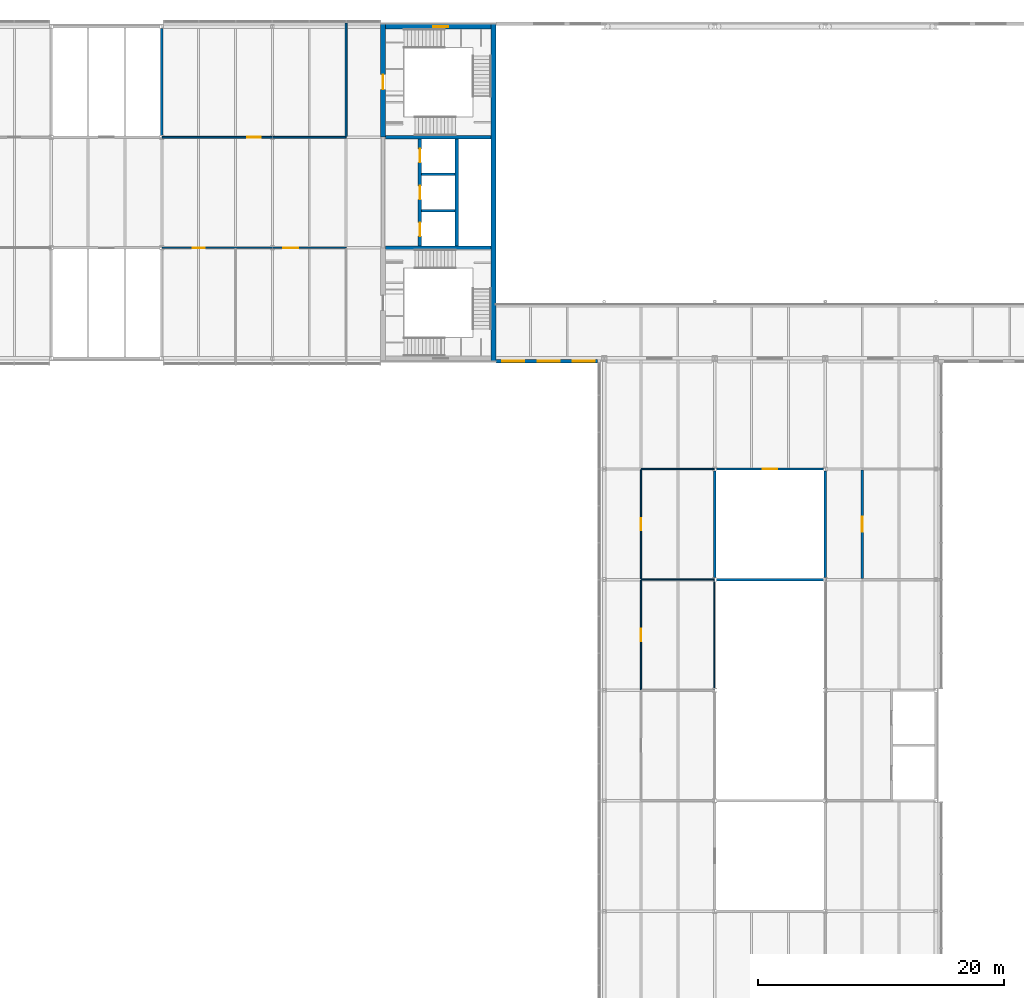
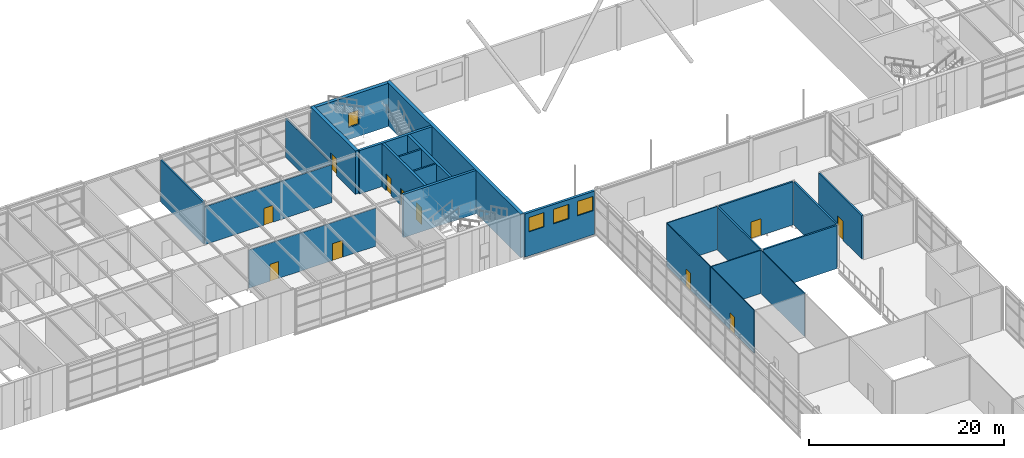
# One storey, part 37 of 46: 24 walls, 11 doors, 4 windows, 15 openings.
"""IFC4 building model written with IfcOpenShell, lengths in metres."""

import ifcopenshell
import ifcopenshell.guid

model = None  # the IFC model being written
_history = None  # IfcOwnerHistory: only IFC2X3 demands one
_inside = {}  # id of a spatial element -> (the spatial element, [elements in it])
_under = {}  # id of a project, library or spatial element -> (it, [spatial elements below it])
_declared = {}  # id of a project -> (the project, [libraries it declares])
_typed = {}  # id of a type object -> (the type object, [elements of that type])
_made_of = {}  # id of a material, layer set ... -> (it, [elements and type objects made of it])


def new_model(schema):
    """Start an empty IFC model of exactly this schema.

    Asked for "IFC4X3", IfcOpenShell would pick the latest addendum, in which some entities
    have other attributes; the version numbers below select the first issue.
    IFC2X3 requires an IfcOwnerHistory on every rooted entity: one is made here for all.
    """
    global model, _history
    if schema == "IFC4X3":
        model = ifcopenshell.file(schema_version=(4, 3, 0, 0))
    else:
        model = ifcopenshell.file(schema=schema)
    _inside.clear()
    _under.clear()
    _declared.clear()
    _typed.clear()
    _made_of.clear()
    _history = None
    if model.schema == "IFC2X3":
        org = make("IfcOrganization", Name="unknown")
        user = make(
            "IfcPersonAndOrganization",
            ThePerson=make("IfcPerson", FamilyName="unknown"),
            TheOrganization=org,
        )
        app = make(
            "IfcApplication",
            ApplicationDeveloper=org,
            Version="unknown",
            ApplicationFullName="unknown",
            ApplicationIdentifier="unknown",
        )
        _history = make(
            "IfcOwnerHistory",
            OwningUser=user,
            OwningApplication=app,
            ChangeAction="ADDED",
            CreationDate=0,
        )
    return model


def make(cls, **values):
    """One entity of the class cls with the attributes given. An attribute that is None is left unset."""
    return model.create_entity(
        cls, **{name: value for name, value in values.items() if value is not None}
    )


def rooted(cls, **values):
    """An entity with a GlobalId (a new one), such as an element, a storey or a relation."""
    return make(cls, GlobalId=ifcopenshell.guid.new(), OwnerHistory=_history, **values)


def si_unit(unit_type, name, prefix=None):
    """IfcSIUnit, for example si_unit("LENGTHUNIT", "METRE", prefix="MILLI")."""
    return make("IfcSIUnit", UnitType=unit_type, Prefix=prefix, Name=name)


def assignment(units):
    """IfcUnitAssignment: the units of a project."""
    return None if units is None else make("IfcUnitAssignment", Units=units)


def point(xyz):
    """IfcCartesianPoint."""
    return None if xyz is None else make("IfcCartesianPoint", Coordinates=xyz)


def direction(xyz):
    """IfcDirection."""
    return None if xyz is None else make("IfcDirection", DirectionRatios=xyz)


def frame(location, z_axis=None, x_axis=None):
    """IfcAxis2Placement3D, a coordinate frame: its origin and axes. An axis left out is left unset."""
    return make(
        "IfcAxis2Placement3D",
        Location=point(location),
        Axis=direction(z_axis),
        RefDirection=direction(x_axis),
    )


def frame_2d(location, x_axis=None):
    """IfcAxis2Placement2D, a coordinate frame in the plane: its origin and x axis."""
    return make(
        "IfcAxis2Placement2D", Location=point(location), RefDirection=direction(x_axis)
    )


def origin():
    """The frame at (0, 0, 0) with its axes left unset."""
    return frame((0.0, 0.0, 0.0))


def place(relative_to, where):
    """IfcLocalPlacement: puts the frame where relative to a parent placement (None: the world)."""
    return make(
        "IfcLocalPlacement", PlacementRelTo=relative_to, RelativePlacement=where
    )


def context(
    kind, dimensions, precision=None, world=None, true_north=None, identifier=None
):
    """IfcGeometricRepresentationContext, for example the 3D "Model" context."""
    return make(
        "IfcGeometricRepresentationContext",
        ContextIdentifier=identifier,
        ContextType=kind,
        CoordinateSpaceDimension=dimensions,
        Precision=precision,
        WorldCoordinateSystem=world,
        TrueNorth=true_north,
    )


def subcontext(parent, identifier, kind, view, scale=None):
    """IfcGeometricRepresentationSubContext, for example "Body" below "Model"."""
    return make(
        "IfcGeometricRepresentationSubContext",
        ContextIdentifier=identifier,
        ContextType=kind,
        ParentContext=parent,
        TargetScale=scale,
        TargetView=view,
    )


def project(units=None, contexts=None):
    """IfcProject with its units and contexts."""
    return rooted(
        "IfcProject",
        Name="project",
        RepresentationContexts=contexts,
        UnitsInContext=assignment(units),
    )


def spatial(cls, under=None, at=None, **own):
    """A site, building, storey or space (cls), placed at a placement, below another one or the project."""
    s = rooted(cls, ObjectPlacement=at, **own)
    if under is not None:
        _under.setdefault(under.id(), (under, []))[1].append(s)
    return s


def profile(cls, at=None, kind="AREA", **sizes):
    """A parametric profile (cls). Its sizes go by their IFC names, for example OverallWidth=200.0."""
    return make(cls, ProfileType=kind, Position=at, **sizes)


def rectangle(**sizes):
    """IfcRectangleProfileDef."""
    return profile("IfcRectangleProfileDef", **sizes)


def extrude(swept, where, along, depth):
    """IfcExtrudedAreaSolid: the profile swept, set in the frame where, extruded along a direction by depth."""
    return make(
        "IfcExtrudedAreaSolid",
        SweptArea=swept,
        Position=where,
        ExtrudedDirection=direction(along),
        Depth=depth,
    )


def shape(context_of_items, identifier, shape_type, items):
    """IfcShapeRepresentation: the items that make up one representation, for example the "Body"."""
    return make(
        "IfcShapeRepresentation",
        ContextOfItems=context_of_items,
        RepresentationIdentifier=identifier,
        RepresentationType=shape_type,
        Items=items,
    )


def material(Name=None, Category=None):
    """IfcMaterial."""
    return make("IfcMaterial", Name=Name, Category=Category)


def layer(
    of_material, thickness, ventilated=None, Name=None, Category=None, Priority=None
):
    """IfcMaterialLayer: one layer of a wall or slab, of a material (None: an air gap)."""
    return make(
        "IfcMaterialLayer",
        Material=of_material,
        LayerThickness=thickness,
        IsVentilated=ventilated,
        Name=Name,
        Category=Category,
        Priority=Priority,
    )


def layer_set(layers, Name=None):
    """IfcMaterialLayerSet."""
    return make("IfcMaterialLayerSet", MaterialLayers=layers, LayerSetName=Name)


def made_of(thing, what):
    """Note that an element or type object is made of a material, layer set ...; save() writes the relation."""
    if what is not None:
        _made_of.setdefault(what.id(), (what, []))[1].append(thing)
    return thing


def type_object(cls, material=None, **own):
    """A type object (cls), such as IfcWallType, which elements share."""
    return made_of(rooted(cls, **own), material)


def element(
    cls,
    number,
    at=None,
    inside=None,
    cuts=None,
    type_object=None,
    material=None,
    context=None,
    identifier="Body",
    shape_type=None,
    held_by="IfcProductDefinitionShape",
    body=None,
    shapes=None,
    **own,
):
    """One element of the class cls, such as IfcWall. Its Tag is "e" and its number.

    at: its placement. inside: the storey or other place that contains it. cuts: it is an
    opening in that element (IfcRelVoidsElement). A single representation is given by context,
    identifier, shape_type and body (its items); several are given by shapes. held_by: the class
    of the entity that holds the representations. save() writes the other relations.
    """
    e = rooted(cls, Tag="e%d" % number, ObjectPlacement=at, **own)
    if body is not None:
        shapes = [shape(context, identifier, shape_type, body)]
    if shapes is not None:
        e.Representation = make(held_by, Representations=shapes)
    if inside is not None:
        _inside.setdefault(inside.id(), (inside, []))[1].append(e)
    if cuts is not None:
        rooted(
            "IfcRelVoidsElement", RelatingBuildingElement=cuts, RelatedOpeningElement=e
        )
    if type_object is not None:
        _typed.setdefault(type_object.id(), (type_object, []))[1].append(e)
    return made_of(e, material)


def fill(opening, filler):
    """IfcRelFillsElement: the door or window that sits in an opening."""
    return rooted(
        "IfcRelFillsElement",
        RelatingOpeningElement=opening,
        RelatedBuildingElement=filler,
    )


def aggregate(whole, parts):
    """IfcRelAggregates: a whole, such as a stair, and the parts it consists of."""
    return rooted("IfcRelAggregates", RelatingObject=whole, RelatedObjects=parts)


def save(model, path):
    """Write the relations noted so far, then the file.

    IfcRelAggregates (storeys below a building ...), IfcRelContainedInSpatialStructure (elements
    in a storey), IfcRelDefinesByType, IfcRelAssociatesMaterial and IfcRelDeclares: one each for
    every whole, place, type object, material and project.
    """
    for whole, parts in _under.values():
        aggregate(whole, parts)
    for where, things in _inside.values():
        rooted(
            "IfcRelContainedInSpatialStructure",
            RelatedElements=things,
            RelatingStructure=where,
        )
    for kind, things in _typed.values():
        rooted("IfcRelDefinesByType", RelatedObjects=things, RelatingType=kind)
    for what, things in _made_of.values():
        rooted("IfcRelAssociatesMaterial", RelatedObjects=things, RelatingMaterial=what)
    for by, libraries in _declared.values():
        rooted("IfcRelDeclares", RelatingContext=by, RelatedDefinitions=libraries)
    model.write(path)


model = new_model("IFC4")

# Units and contexts
model_context = context("Model", 3, precision=1e-05, world=origin(), true_north=direction((0.0, 1.0)))
body_context = subcontext(model_context, "Body", "Model", "MODEL_VIEW")
ifc_project = project(units=[si_unit("LENGTHUNIT", "METRE"), si_unit("AREAUNIT", "SQUARE_METRE"), si_unit("VOLUMEUNIT", "CUBIC_METRE"), si_unit("PLANEANGLEUNIT", "RADIAN"), si_unit("MASSUNIT", "GRAM", prefix="KILO")], contexts=[model_context])

# Site, building, storey
site_placement = place(None, origin())
site = spatial("IfcSite", under=ifc_project, at=site_placement, CompositionType="ELEMENT")
building_placement = place(site_placement, origin())
building = spatial("IfcBuilding", under=site, at=building_placement, Name="Azimuth Sports and Learning Centre", CompositionType="ELEMENT")
storey_placement = place(building_placement, frame((0.0, 0.0, 21.60009765625)))
storey = spatial("IfcBuildingStorey", under=building, at=storey_placement, Name="L04", CompositionType="ELEMENT", Elevation=21.60009765625)

# Walls
ifc_material_1 = material(Name="Dense masonry blockwork", Category="masonry")
ifc_layer_1 = layer(ifc_material_1, 0.199951171875)
ifc_layer_set_1 = layer_set([ifc_layer_1], Name="Dense masonry blockwork")
wall_type_1 = type_object("IfcWallType", Name="Blockwork wall 200 EI 120", PredefinedType="SOLIDWALL", material=ifc_layer_set_1)
for number, where, z_axis, x_axis, name in (
    (1, (57.14990234375, 102.0, 0.0), (0.0, 0.0, 1.0), (1.0, 0.0, 0.0), "SD-W-1-L04"),
    (2, (57.14990234375, 105.0, 0.0), (0.0, 0.0, 1.0), (1.0, 0.0, 0.0), "SD-W-2-L04"),
):
    element("IfcWall", number, at=place(storey_placement, frame(where, z_axis=z_axis, x_axis=x_axis)), inside=storey, type_object=wall_type_1, Name=name, PredefinedType="SOLIDWALL", context=body_context, shape_type="SweptSolid", body=[
        extrude(rectangle(XDim=2.7001953125, YDim=0.199951171875, at=frame_2d((1.35009765625, 0.0))), origin(), (0.0, 0.0, 1.0), 5.39990234375),
    ])

# Wall, openings, windows
ifc_material_2 = material(Name="Insulated cladding wall")
ifc_layer_2 = layer(ifc_material_2, 0.300048828125)
ifc_layer_set_2 = layer_set([ifc_layer_2], Name="Insulated cladding wall")
wall_type_2 = type_object("IfcWallType", Name="Hall cladding wall 300", PredefinedType="SOLIDWALL", material=ifc_layer_set_2)
wall_1_placement = place(storey_placement, frame((63.199951171875, 89.760009765625, 0.0), z_axis=(0.0, 0.0, 1.0), x_axis=(1.0, 0.0, 0.0)))
wall_1 = element("IfcWall", 3, at=wall_1_placement, inside=storey, type_object=wall_type_2, Name="Hall wall S-HALL W L04", PredefinedType="SOLIDWALL", context=body_context, shape_type="SweptSolid", body=[
    extrude(rectangle(XDim=8.260009765625, YDim=0.300048828125, at=frame_2d((4.1298828125, 0.0))), origin(), (0.0, 0.0, 1.0), 5.39990234375),
])
opening_1_placement = place(wall_1_placement, frame((0.5, 0.0, 3.0)))
opening_1 = element("IfcOpeningElement", 4, at=opening_1_placement, cuts=wall_1, Name="Opening W04-003", PredefinedType="OPENING", context=body_context, shape_type="SweptSolid", body=[
    extrude(rectangle(XDim=1.800048828125, YDim=1.800048828125, at=frame_2d((0.89990234375, 0.89990234375))), frame((0.0, 0.1611328125, 0.0), z_axis=(0.0, -1.0, 0.0), x_axis=(1.0, 0.0, 0.0)), (0.0, 0.0, 1.0), 0.322021484375),
])
opening_2_placement = place(wall_1_placement, frame((3.39990234375, 0.0, 3.0)))
opening_2 = element("IfcOpeningElement", 5, at=opening_2_placement, cuts=wall_1, Name="Opening W04-004", PredefinedType="OPENING", context=body_context, shape_type="SweptSolid", body=[
    extrude(rectangle(XDim=1.800048828125, YDim=1.800048828125, at=frame_2d((0.89990234375, 0.89990234375))), frame((0.0, 0.1611328125, 0.0), z_axis=(0.0, -1.0, 0.0), x_axis=(1.0, 0.0, 0.0)), (0.0, 0.0, 1.0), 0.322021484375),
])
opening_3_placement = place(wall_1_placement, frame((6.25, 0.0, 3.0)))
opening_3 = element("IfcOpeningElement", 6, at=opening_3_placement, cuts=wall_1, Name="Opening W04-005", PredefinedType="OPENING", context=body_context, shape_type="SweptSolid", body=[
    extrude(rectangle(XDim=1.800048828125, YDim=1.800048828125, at=frame_2d((0.89990234375, 0.89990234375))), frame((0.0, 0.1611328125, 0.0), z_axis=(0.0, -1.0, 0.0), x_axis=(1.0, 0.0, 0.0)), (0.0, 0.0, 1.0), 0.322021484375),
])
ifc_material_3 = material(Name="Aluminium and glass", Category="aluminium")
window_type_1 = type_object("IfcWindowType", Name="Hall B end bay window 1800x1800", PartitioningType="SINGLE_PANEL", PredefinedType="WINDOW", material=ifc_material_3)
window_1_placement = place(opening_1_placement, origin())
window_1 = element("IfcWindow", 7, at=window_1_placement, inside=storey, type_object=window_type_1, Name="Window W04-003", OverallHeight=1.800048828125, OverallWidth=1.800048828125, PartitioningType="SINGLE_PANEL", PredefinedType="WINDOW", context=body_context, shape_type="SweptSolid", body=[
    extrude(rectangle(XDim=1.800048828125, YDim=1.800048828125, at=frame_2d((0.89990234375, 0.89990234375))), frame((0.0, 0.030029296875, 0.0), z_axis=(0.0, -1.0, 0.0), x_axis=(1.0, 0.0, 0.0)), (0.0, 0.0, 1.0), 0.06005859375),
])
fill(opening_1, window_1)
window_2_placement = place(opening_2_placement, origin())
window_2 = element("IfcWindow", 8, at=window_2_placement, inside=storey, type_object=window_type_1, Name="Window W04-004", OverallHeight=1.800048828125, OverallWidth=1.800048828125, PartitioningType="SINGLE_PANEL", PredefinedType="WINDOW", context=body_context, shape_type="SweptSolid", body=[
    extrude(rectangle(XDim=1.800048828125, YDim=1.800048828125, at=frame_2d((0.89990234375, 0.89990234375))), frame((0.0, 0.030029296875, 0.0), z_axis=(0.0, -1.0, 0.0), x_axis=(1.0, 0.0, 0.0)), (0.0, 0.0, 1.0), 0.06005859375),
])
fill(opening_2, window_2)
window_3_placement = place(opening_3_placement, origin())
window_3 = element("IfcWindow", 9, at=window_3_placement, inside=storey, type_object=window_type_1, Name="Window W04-005", OverallHeight=1.800048828125, OverallWidth=1.800048828125, PartitioningType="SINGLE_PANEL", PredefinedType="WINDOW", context=body_context, shape_type="SweptSolid", body=[
    extrude(rectangle(XDim=1.800048828125, YDim=1.800048828125, at=frame_2d((0.89990234375, 0.89990234375))), frame((0.0, 0.030029296875, 0.0), z_axis=(0.0, -1.0, 0.0), x_axis=(1.0, 0.0, 0.0)), (0.0, 0.0, 1.0), 0.06005859375),
])
fill(opening_3, window_3)

# Walls
ifc_material_4 = material(Name="Gypsum board on steel studs", Category="steel")
ifc_layer_3 = layer(ifc_material_4, 0.10009765625)
ifc_layer_set_3 = layer_set([ifc_layer_3], Name="Gypsum board on steel studs")
wall_type_3 = type_object("IfcWallType", Name="Partition 100 EI 30", PredefinedType="PARTITIONING", material=ifc_layer_set_3)
for number, where, z_axis, x_axis, name in (
    (10, (75.0, 72.0, 0.0), (0.0, 0.0, 1.0), (1.0, 0.0, 0.0), "Partition 100 EI 30"),
    (11, (75.0, 81.0, 0.0), (0.0, 0.0, 1.0), (1.0, 0.0, 0.0), "Partition 100 EI 30"),
):
    element("IfcWall", number, at=place(storey_placement, frame(where, z_axis=z_axis, x_axis=x_axis)), inside=storey, type_object=wall_type_3, Name=name, PredefinedType="PARTITIONING", context=body_context, shape_type="SweptSolid", body=[
        extrude(rectangle(XDim=6.0, YDim=0.10009765625, at=frame_2d((3.0, 0.0))), origin(), (0.0, 0.0, 1.0), 5.39990234375),
    ])

# Wall, openings, doors
wall_2_placement = place(storey_placement, frame((36.0, 99.0, 0.0), z_axis=(0.0, 0.0, 1.0), x_axis=(1.0, 0.0, 0.0)))
wall_2 = element("IfcWall", 12, at=wall_2_placement, inside=storey, type_object=wall_type_3, Name="Partition 100 EI 30", PredefinedType="PARTITIONING", context=body_context, shape_type="SweptSolid", body=[
    extrude(rectangle(XDim=15.0, YDim=0.10009765625, at=frame_2d((7.5, 0.0))), origin(), (0.0, 0.0, 1.0), 4.75),
])
opening_4_placement = place(wall_2_placement, frame((2.5, 0.0, 0.0)))
opening_4 = element("IfcOpeningElement", 13, at=opening_4_placement, cuts=wall_2, Name="Opening D04-032", PredefinedType="OPENING", context=body_context, shape_type="SweptSolid", body=[
    extrude(rectangle(XDim=1.0, YDim=2.10009765625, at=frame_2d((0.5, 1.050048828125))), frame((0.0, 0.06103515625, 0.0), z_axis=(0.0, -1.0, 0.0), x_axis=(1.0, 0.0, 0.0)), (0.0, 0.0, 1.0), 0.1220703125),
])
opening_5_placement = place(wall_2_placement, frame((9.89990234375, 0.0, 0.0)))
opening_5 = element("IfcOpeningElement", 14, at=opening_5_placement, cuts=wall_2, Name="Opening D04-033", PredefinedType="OPENING", context=body_context, shape_type="SweptSolid", body=[
    extrude(rectangle(XDim=1.199951171875, YDim=2.10009765625, at=frame_2d((0.60009765625, 1.050048828125))), frame((0.0, 0.06103515625, 0.0), z_axis=(0.0, -1.0, 0.0), x_axis=(1.0, 0.0, 0.0)), (0.0, 0.0, 1.0), 0.1220703125),
])
ifc_material_5 = material(Name="Timber fire door set", Category="wood")
door_type_1 = type_object("IfcDoorType", Name="Timber door single 1000x2100 FD30S", OperationType="NOTDEFINED", PredefinedType="DOOR", material=ifc_material_5)
door_1_placement = place(opening_4_placement, frame((1.0, 0.0, 0.0), z_axis=(0.0, 0.0, 1.0), x_axis=(-1.0, 0.0, 0.0)))
door_1 = element("IfcDoor", 15, at=door_1_placement, inside=storey, type_object=door_type_1, Name="Door D04-032", OperationType="SINGLE_SWING_RIGHT", OverallHeight=2.10009765625, OverallWidth=1.0, PredefinedType="DOOR", context=body_context, shape_type="SweptSolid", body=[
    extrude(rectangle(XDim=1.0, YDim=2.10009765625, at=frame_2d((0.5, 1.050048828125))), frame((0.0, 0.02490234375, 0.0), z_axis=(0.0, -1.0, 0.0), x_axis=(1.0, 0.0, 0.0)), (0.0, 0.0, 1.0), 0.050048828125),
])
fill(opening_4, door_1)
ifc_material_6 = material(Name="Timber fire door set", Category="wood")
door_type_2 = type_object("IfcDoorType", Name="Timber door single 1200x2100 FD30S", OperationType="NOTDEFINED", PredefinedType="DOOR", material=ifc_material_6)
door_2_placement = place(opening_5_placement, frame((1.199951171875, 0.0, 0.0), z_axis=(0.0, 0.0, 1.0), x_axis=(-1.0, 0.0, 0.0)))
door_2 = element("IfcDoor", 16, at=door_2_placement, inside=storey, type_object=door_type_2, Name="Door D04-033", OperationType="SINGLE_SWING_RIGHT", OverallHeight=2.10009765625, OverallWidth=1.199951171875, PredefinedType="DOOR", context=body_context, shape_type="SweptSolid", body=[
    extrude(rectangle(XDim=1.199951171875, YDim=2.10009765625, at=frame_2d((0.60009765625, 1.050048828125))), frame((0.0, 0.02490234375, 0.0), z_axis=(0.0, -1.0, 0.0), x_axis=(1.0, 0.0, 0.0)), (0.0, 0.0, 1.0), 0.050048828125),
])
fill(opening_5, door_2)

# Wall, opening, door
wall_3_placement = place(storey_placement, frame((75.0, 63.050048828125, 0.0), z_axis=(0.0, 0.0, 1.0), x_axis=(0.0, 1.0, 0.0)))
wall_3 = element("IfcWall", 17, at=wall_3_placement, inside=storey, type_object=wall_type_3, Name="Partition 100 EI 30", PredefinedType="PARTITIONING", context=body_context, shape_type="SweptSolid", body=[
    extrude(rectangle(XDim=8.89990234375, YDim=0.10009765625, at=frame_2d((4.449951171875, 0.0))), origin(), (0.0, 0.0, 1.0), 5.39990234375),
])
opening_6_placement = place(wall_3_placement, frame((3.949951171875, 0.0, 0.0)))
opening_6 = element("IfcOpeningElement", 18, at=opening_6_placement, cuts=wall_3, Name="Opening D04-053", PredefinedType="OPENING", context=body_context, shape_type="SweptSolid", body=[
    extrude(rectangle(XDim=1.0, YDim=2.10009765625, at=frame_2d((0.5, 1.050048828125))), frame((0.0, 0.06103515625, 0.0), z_axis=(0.0, -1.0, 0.0), x_axis=(1.0, 0.0, 0.0)), (0.0, 0.0, 1.0), 0.1220703125),
])
door_3_placement = place(opening_6_placement, frame((1.0, 0.0, 0.0), z_axis=(0.0, 0.0, 1.0), x_axis=(-1.0, 0.0, 0.0)))
door_3 = element("IfcDoor", 19, at=door_3_placement, inside=storey, type_object=door_type_1, Name="Door D04-053", OperationType="SINGLE_SWING_RIGHT", OverallHeight=2.10009765625, OverallWidth=1.0, PredefinedType="DOOR", context=body_context, shape_type="SweptSolid", body=[
    extrude(rectangle(XDim=1.0, YDim=2.10009765625, at=frame_2d((0.5, 1.050048828125))), frame((0.0, 0.02490234375, 0.0), z_axis=(0.0, -1.0, 0.0), x_axis=(1.0, 0.0, 0.0)), (0.0, 0.0, 1.0), 0.050048828125),
])
fill(opening_6, door_3)

wall_4_placement = place(storey_placement, frame((75.0, 72.050048828125, 0.0), z_axis=(0.0, 0.0, 1.0), x_axis=(0.0, 1.0, 0.0)))
wall_4 = element("IfcWall", 20, at=wall_4_placement, inside=storey, type_object=wall_type_3, Name="Partition 100 EI 30", PredefinedType="PARTITIONING", context=body_context, shape_type="SweptSolid", body=[
    extrude(rectangle(XDim=8.89990234375, YDim=0.10009765625, at=frame_2d((4.449951171875, 0.0))), origin(), (0.0, 0.0, 1.0), 5.39990234375),
])
opening_7_placement = place(wall_4_placement, frame((3.949951171875, 0.0, 0.0)))
opening_7 = element("IfcOpeningElement", 21, at=opening_7_placement, cuts=wall_4, Name="Opening D04-054", PredefinedType="OPENING", context=body_context, shape_type="SweptSolid", body=[
    extrude(rectangle(XDim=1.0, YDim=2.10009765625, at=frame_2d((0.5, 1.050048828125))), frame((0.0, 0.06103515625, 0.0), z_axis=(0.0, -1.0, 0.0), x_axis=(1.0, 0.0, 0.0)), (0.0, 0.0, 1.0), 0.1220703125),
])
door_4_placement = place(opening_7_placement, frame((1.0, 0.0, 0.0), z_axis=(0.0, 0.0, 1.0), x_axis=(-1.0, 0.0, 0.0)))
door_4 = element("IfcDoor", 22, at=door_4_placement, inside=storey, type_object=door_type_1, Name="Door D04-054", OperationType="SINGLE_SWING_RIGHT", OverallHeight=2.10009765625, OverallWidth=1.0, PredefinedType="DOOR", context=body_context, shape_type="SweptSolid", body=[
    extrude(rectangle(XDim=1.0, YDim=2.10009765625, at=frame_2d((0.5, 1.050048828125))), frame((0.0, 0.02490234375, 0.0), z_axis=(0.0, -1.0, 0.0), x_axis=(1.0, 0.0, 0.0)), (0.0, 0.0, 1.0), 0.050048828125),
])
fill(opening_7, door_4)

# Wall
wall_5_placement = place(storey_placement, frame((80.949951171875, 63.050048828125, 0.0), z_axis=(0.0, 0.0, 1.0), x_axis=(0.0, 1.0, 0.0)))
element("IfcWall", 23, at=wall_5_placement, inside=storey, type_object=wall_type_3, Name="Partition 100 EI 30", PredefinedType="PARTITIONING", context=body_context, shape_type="SweptSolid", body=[
    extrude(rectangle(XDim=8.89990234375, YDim=0.10009765625, at=frame_2d((4.449951171875, 0.0))), origin(), (0.0, 0.0, 1.0), 5.39990234375),
])

# Wall, opening, door
ifc_material_7 = material(Name="Lightweight blockwork, rendered", Category="masonry")
ifc_layer_4 = layer(ifc_material_7, 0.14990234375)
ifc_layer_set_4 = layer_set([ifc_layer_4], Name="Lightweight blockwork, rendered")
wall_type_4 = type_object("IfcWallType", Name="Partition 150 EI 60", PredefinedType="PARTITIONING", material=ifc_layer_set_4)
wall_6_placement = place(storey_placement, frame((36.0, 108.0, 0.0), z_axis=(0.0, 0.0, 1.0), x_axis=(1.0, 0.0, 0.0)))
wall_6 = element("IfcWall", 24, at=wall_6_placement, inside=storey, type_object=wall_type_4, Name="Partition 150 EI 60", PredefinedType="PARTITIONING", context=body_context, shape_type="SweptSolid", body=[
    extrude(rectangle(XDim=15.0, YDim=0.14990234375, at=frame_2d((7.5, 0.0))), origin(), (0.0, 0.0, 1.0), 4.75),
])
opening_8_placement = place(wall_6_placement, frame((6.949951171875, 0.0, 0.0)))
opening_8 = element("IfcOpeningElement", 25, at=opening_8_placement, cuts=wall_6, Name="Opening D04-038", PredefinedType="OPENING", context=body_context, shape_type="SweptSolid", body=[
    extrude(rectangle(XDim=1.10009765625, YDim=2.10009765625, at=frame_2d((0.550048828125, 1.050048828125))), frame((0.0, 0.0859375, 0.0), z_axis=(0.0, -1.0, 0.0), x_axis=(1.0, 0.0, 0.0)), (0.0, 0.0, 1.0), 0.171875),
])
ifc_material_8 = material(Name="Timber fire door set", Category="wood")
door_type_3 = type_object("IfcDoorType", Name="Timber door single 1100x2100 FD60", OperationType="NOTDEFINED", PredefinedType="DOOR", material=ifc_material_8)
door_5_placement = place(opening_8_placement, origin())
door_5 = element("IfcDoor", 26, at=door_5_placement, inside=storey, type_object=door_type_3, Name="Door D04-038", OperationType="SINGLE_SWING_RIGHT", OverallHeight=2.10009765625, OverallWidth=1.10009765625, PredefinedType="DOOR", context=body_context, shape_type="SweptSolid", body=[
    extrude(rectangle(XDim=1.10009765625, YDim=2.10009765625, at=frame_2d((0.550048828125, 1.050048828125))), frame((0.0, 0.02490234375, 0.0), z_axis=(0.0, -1.0, 0.0), x_axis=(1.0, 0.0, 0.0)), (0.0, 0.0, 1.0), 0.050048828125),
])
fill(opening_8, door_5)

# Wall
wall_7_placement = place(storey_placement, frame((51.0, 108.074951171875, 0.0), z_axis=(0.0, 0.0, 1.0), x_axis=(0.0, 1.0, 0.0)))
element("IfcWall", 27, at=wall_7_placement, inside=storey, type_object=wall_type_4, Name="Partition 150 EI 60", PredefinedType="PARTITIONING", context=body_context, shape_type="SweptSolid", body=[
    extrude(rectangle(XDim=9.22509765625, YDim=0.14990234375, at=frame_2d((4.612548828125, 0.0))), origin(), (0.0, 0.0, 1.0), 4.89990234375),
])

# Wall, opening, door
ifc_material_9 = material(Name="Reinforced masonry blockwork", Category="masonry")
ifc_layer_5 = layer(ifc_material_9, 0.199951171875)
ifc_layer_set_5 = layer_set([ifc_layer_5], Name="Reinforced masonry blockwork")
wall_type_5 = type_object("IfcWallType", Name="Plant and shaft wall 200 EI 120", PredefinedType="SOLIDWALL", material=ifc_layer_set_5)
wall_8_placement = place(storey_placement, frame((93.0, 72.10009765625, 0.0), z_axis=(0.0, 0.0, 1.0), x_axis=(0.0, 1.0, 0.0)))
wall_8 = element("IfcWall", 28, at=wall_8_placement, inside=storey, type_object=wall_type_5, Name="Plant and shaft wall 200 EI 120", PredefinedType="SOLIDWALL", context=body_context, shape_type="SweptSolid", body=[
    extrude(rectangle(XDim=8.7998046875, YDim=0.199951171875, at=frame_2d((4.39990234375, 0.0))), origin(), (0.0, 0.0, 1.0), 5.39990234375),
])
opening_9_placement = place(wall_8_placement, frame((3.800048828125, 0.0, 0.0)))
opening_9 = element("IfcOpeningElement", 29, at=opening_9_placement, cuts=wall_8, Name="Opening D04-055", PredefinedType="OPENING", context=body_context, shape_type="SweptSolid", body=[
    extrude(rectangle(XDim=1.199951171875, YDim=2.39990234375, at=frame_2d((0.60009765625, 1.199951171875))), frame((0.0, 0.11083984375, 0.0), z_axis=(0.0, -1.0, 0.0), x_axis=(1.0, 0.0, 0.0)), (0.0, 0.0, 1.0), 0.221923828125),
])
ifc_material_10 = material(Name="Steel fire door set", Category="steel")
door_type_4 = type_object("IfcDoorType", Name="Steel door single 1200x2400 FD120", OperationType="NOTDEFINED", PredefinedType="DOOR", material=ifc_material_10)
door_6_placement = place(opening_9_placement, frame((1.199951171875, 0.0, 0.0), z_axis=(0.0, 0.0, 1.0), x_axis=(-1.0, 0.0, 0.0)))
door_6 = element("IfcDoor", 30, at=door_6_placement, inside=storey, type_object=door_type_4, Name="Door D04-055", OperationType="SINGLE_SWING_RIGHT", OverallHeight=2.39990234375, OverallWidth=1.199951171875, PredefinedType="DOOR", context=body_context, shape_type="SweptSolid", body=[
    extrude(rectangle(XDim=1.199951171875, YDim=2.39990234375, at=frame_2d((0.60009765625, 1.199951171875))), frame((0.0, 0.02490234375, 0.0), z_axis=(0.0, -1.0, 0.0), x_axis=(1.0, 0.0, 0.0)), (0.0, 0.0, 1.0), 0.050048828125),
])
fill(opening_9, door_6)

# Walls
ifc_material_11 = material(Name="Concrete C40/50", Category="concrete")
ifc_layer_6 = layer(ifc_material_11, 0.199951171875)
ifc_layer_set_6 = layer_set([ifc_layer_6], Name="Concrete C40/50")
wall_type_6 = type_object("IfcWallType", Name="RC cell wall 200 EI 120", PredefinedType="SHEAR", material=ifc_layer_set_6)
wall_9_placement = place(storey_placement, frame((36.0, 108.14990234375, 0.0), z_axis=(0.0, 0.0, 1.0), x_axis=(0.0, 1.0, 0.0)))
element("IfcWall", 31, at=wall_9_placement, inside=storey, type_object=wall_type_6, Name="CE-WM2-E-L04", PredefinedType="SHEAR", context=body_context, shape_type="SweptSolid", body=[
    extrude(rectangle(XDim=8.7001953125, YDim=0.199951171875, at=frame_2d((4.35009765625, 0.0))), origin(), (0.0, 0.0, 1.0), 5.199951171875),
])
wall_10_placement = place(storey_placement, frame((81.14990234375, 72.0, 0.0), z_axis=(0.0, 0.0, 1.0), x_axis=(1.0, 0.0, 0.0)))
element("IfcWall", 32, at=wall_10_placement, inside=storey, type_object=wall_type_6, Name="CE-STD-S-L04", PredefinedType="SHEAR", context=body_context, shape_type="SweptSolid", body=[
    extrude(rectangle(XDim=8.7001953125, YDim=0.199951171875, at=frame_2d((4.35009765625, 0.0))), origin(), (0.0, 0.0, 1.0), 5.39990234375),
])

# Wall, opening, door
wall_11_placement = place(storey_placement, frame((81.14990234375, 81.0, 0.0), z_axis=(0.0, 0.0, 1.0), x_axis=(1.0, 0.0, 0.0)))
wall_11 = element("IfcWall", 33, at=wall_11_placement, inside=storey, type_object=wall_type_6, Name="CE-STD-N-L04", PredefinedType="SHEAR", context=body_context, shape_type="SweptSolid", body=[
    extrude(rectangle(XDim=8.7001953125, YDim=0.199951171875, at=frame_2d((4.35009765625, 0.0))), origin(), (0.0, 0.0, 1.0), 5.39990234375),
])
opening_10_placement = place(wall_11_placement, frame((3.75, 0.0, 0.0)))
opening_10 = element("IfcOpeningElement", 34, at=opening_10_placement, cuts=wall_11, Name="Opening D04-018", PredefinedType="OPENING", context=body_context, shape_type="SweptSolid", body=[
    extrude(rectangle(XDim=1.199951171875, YDim=2.10009765625, at=frame_2d((0.60009765625, 1.050048828125))), frame((0.0, 0.11083984375, 0.0), z_axis=(0.0, -1.0, 0.0), x_axis=(1.0, 0.0, 0.0)), (0.0, 0.0, 1.0), 0.221923828125),
])
ifc_material_12 = material(Name="Steel", Category="steel")
door_type_5 = type_object("IfcDoorType", Name="Stair fire door 1200 x 2100", OperationType="NOTDEFINED", PredefinedType="DOOR", material=ifc_material_12)
door_7_placement = place(opening_10_placement, origin())
door_7 = element("IfcDoor", 35, at=door_7_placement, inside=storey, type_object=door_type_5, Name="Stair door STD L04", OperationType="SINGLE_SWING_RIGHT", OverallHeight=2.10009765625, OverallWidth=1.199951171875, PredefinedType="DOOR", context=body_context, shape_type="SweptSolid", body=[
    extrude(rectangle(XDim=1.199951171875, YDim=2.10009765625, at=frame_2d((0.60009765625, 1.050048828125))), frame((0.0, 0.02490234375, 0.0), z_axis=(0.0, -1.0, 0.0), x_axis=(1.0, 0.0, 0.0)), (0.0, 0.0, 1.0), 0.050048828125),
])
fill(opening_10, door_7)

# Walls
for number, where, z_axis, x_axis, name in (
    (36, (81.0, 72.14990234375, 0.0), (0.0, 0.0, 1.0), (0.0, 1.0, 0.0), "CE-STD-W-L04"),
    (37, (90.0, 72.14990234375, 0.0), (0.0, 0.0, 1.0), (0.0, 1.0, 0.0), "CE-STD-E-L04"),
):
    element("IfcWall", number, at=place(storey_placement, frame(where, z_axis=z_axis, x_axis=x_axis)), inside=storey, type_object=wall_type_6, Name=name, PredefinedType="SHEAR", context=body_context, shape_type="SweptSolid", body=[
        extrude(rectangle(XDim=8.7001953125, YDim=0.199951171875, at=frame_2d((4.35009765625, 0.0))), origin(), (0.0, 0.0, 1.0), 5.39990234375),
    ])
ifc_material_13 = material(Name="Concrete C40/50", Category="concrete")
ifc_layer_7 = layer(ifc_material_13, 0.300048828125)
ifc_layer_set_7 = layer_set([ifc_layer_7], Name="Concrete C40/50")
wall_type_7 = type_object("IfcWallType", Name="RC core wall 300", PredefinedType="SHEAR", material=ifc_layer_set_7)
for number, where, z_axis, x_axis, name in (
    (38, (54.199951171875, 99.0, 0.0), (0.0, 0.0, 1.0), (1.0, 0.0, 0.0), "Core wall W D1 L04"),
    (39, (54.199951171875, 108.0, 0.0), (0.0, 0.0, 1.0), (1.0, 0.0, 0.0), "Core wall W D2 L04"),
):
    element("IfcWall", number, at=place(storey_placement, frame(where, z_axis=z_axis, x_axis=x_axis)), inside=storey, type_object=wall_type_7, Name=name, PredefinedType="SHEAR", context=body_context, shape_type="SweptSolid", body=[
        extrude(rectangle(XDim=8.60009765625, YDim=0.300048828125, at=frame_2d((4.300048828125, 0.0))), origin(), (0.0, 0.0, 1.0), 5.39990234375),
    ])

# Wall, openings, doors
wall_12_placement = place(storey_placement, frame((57.0, 99.14990234375, 0.0), z_axis=(0.0, 0.0, 1.0), x_axis=(0.0, 1.0, 0.0)))
wall_12 = element("IfcWall", 40, at=wall_12_placement, inside=storey, type_object=wall_type_7, Name="Core wall W LB1 L04", PredefinedType="SHEAR", context=body_context, shape_type="SweptSolid", body=[
    extrude(rectangle(XDim=8.7001953125, YDim=0.300048828125, at=frame_2d((4.35009765625, 0.0))), origin(), (0.0, 0.0, 1.0), 5.39990234375),
])
opening_11_placement = place(wall_12_placement, frame((0.800048828125, 0.0, 0.0)))
opening_11 = element("IfcOpeningElement", 41, at=opening_11_placement, cuts=wall_12, Name="Opening D04-019", PredefinedType="OPENING", context=body_context, shape_type="SweptSolid", body=[
    extrude(rectangle(XDim=1.10009765625, YDim=2.10009765625, at=frame_2d((0.550048828125, 1.050048828125))), frame((0.0, 0.1611328125, 0.0), z_axis=(0.0, -1.0, 0.0), x_axis=(1.0, 0.0, 0.0)), (0.0, 0.0, 1.0), 0.322021484375),
])
opening_12_placement = place(wall_12_placement, frame((3.800048828125, 0.0, 0.0)))
opening_12 = element("IfcOpeningElement", 42, at=opening_12_placement, cuts=wall_12, Name="Opening D04-020", PredefinedType="OPENING", context=body_context, shape_type="SweptSolid", body=[
    extrude(rectangle(XDim=1.10009765625, YDim=2.10009765625, at=frame_2d((0.550048828125, 1.050048828125))), frame((0.0, 0.1611328125, 0.0), z_axis=(0.0, -1.0, 0.0), x_axis=(1.0, 0.0, 0.0)), (0.0, 0.0, 1.0), 0.322021484375),
])
opening_13_placement = place(wall_12_placement, frame((6.800048828125, 0.0, 0.0)))
opening_13 = element("IfcOpeningElement", 43, at=opening_13_placement, cuts=wall_12, Name="Opening D04-021", PredefinedType="OPENING", context=body_context, shape_type="SweptSolid", body=[
    extrude(rectangle(XDim=1.10009765625, YDim=2.10009765625, at=frame_2d((0.550048828125, 1.050048828125))), frame((0.0, 0.1611328125, 0.0), z_axis=(0.0, -1.0, 0.0), x_axis=(1.0, 0.0, 0.0)), (0.0, 0.0, 1.0), 0.322021484375),
])
ifc_material_14 = material(Name="Stainless steel", Category="steel")
door_type_6 = type_object("IfcDoorType", Name="Lift landing door 1100 x 2100", OperationType="DOUBLE_DOOR_SLIDING", PredefinedType="DOOR", material=ifc_material_14)
door_8_placement = place(opening_11_placement, origin())
door_8 = element("IfcDoor", 44, at=door_8_placement, inside=storey, type_object=door_type_6, Name="Landing door LW1 L04", OperationType="DOUBLE_DOOR_SLIDING", OverallHeight=2.10009765625, OverallWidth=1.10009765625, PredefinedType="DOOR", context=body_context, shape_type="SweptSolid", body=[
    extrude(rectangle(XDim=1.10009765625, YDim=2.10009765625, at=frame_2d((0.550048828125, 1.050048828125))), frame((0.0, 0.02490234375, 0.0), z_axis=(0.0, -1.0, 0.0), x_axis=(1.0, 0.0, 0.0)), (0.0, 0.0, 1.0), 0.050048828125),
])
fill(opening_11, door_8)
door_9_placement = place(opening_12_placement, origin())
door_9 = element("IfcDoor", 45, at=door_9_placement, inside=storey, type_object=door_type_6, Name="Landing door LW2 L04", OperationType="DOUBLE_DOOR_SLIDING", OverallHeight=2.10009765625, OverallWidth=1.10009765625, PredefinedType="DOOR", context=body_context, shape_type="SweptSolid", body=[
    extrude(rectangle(XDim=1.10009765625, YDim=2.10009765625, at=frame_2d((0.550048828125, 1.050048828125))), frame((0.0, 0.02490234375, 0.0), z_axis=(0.0, -1.0, 0.0), x_axis=(1.0, 0.0, 0.0)), (0.0, 0.0, 1.0), 0.050048828125),
])
fill(opening_12, door_9)
door_10_placement = place(opening_13_placement, origin())
door_10 = element("IfcDoor", 46, at=door_10_placement, inside=storey, type_object=door_type_6, Name="Landing door LW3 L04", OperationType="DOUBLE_DOOR_SLIDING", OverallHeight=2.10009765625, OverallWidth=1.10009765625, PredefinedType="DOOR", context=body_context, shape_type="SweptSolid", body=[
    extrude(rectangle(XDim=1.10009765625, YDim=2.10009765625, at=frame_2d((0.550048828125, 1.050048828125))), frame((0.0, 0.02490234375, 0.0), z_axis=(0.0, -1.0, 0.0), x_axis=(1.0, 0.0, 0.0)), (0.0, 0.0, 1.0), 0.050048828125),
])
fill(opening_13, door_10)

# Walls
wall_13_placement = place(storey_placement, frame((60.0, 99.14990234375, 0.0), z_axis=(0.0, 0.0, 1.0), x_axis=(0.0, 1.0, 0.0)))
element("IfcWall", 47, at=wall_13_placement, inside=storey, type_object=wall_type_7, Name="Core wall W LB2 L04", PredefinedType="SHEAR", context=body_context, shape_type="SweptSolid", body=[
    extrude(rectangle(XDim=8.7001953125, YDim=0.300048828125, at=frame_2d((4.35009765625, 0.0))), origin(), (0.0, 0.0, 1.0), 5.39990234375),
])
ifc_material_15 = material(Name="Concrete C40/50", Category="concrete")
ifc_layer_8 = layer(ifc_material_15, 0.39990234375)
ifc_layer_set_8 = layer_set([ifc_layer_8], Name="Concrete C40/50")
wall_type_8 = type_object("IfcWallType", Name="RC core wall 400", PredefinedType="SHEAR", material=ifc_layer_set_8)
wall_14_placement = place(storey_placement, frame((63.0, 89.800048828125, 0.0), z_axis=(0.0, 0.0, 1.0), x_axis=(0.0, 1.0, 0.0)))
element("IfcWall", 48, at=wall_14_placement, inside=storey, type_object=wall_type_8, Name="Core wall W E L04", PredefinedType="SHEAR", context=body_context, shape_type="SweptSolid", body=[
    extrude(rectangle(XDim=27.39990234375, YDim=0.39990234375, at=frame_2d((13.699951171875, 0.0))), origin(), (0.0, 0.0, 1.0), 5.39990234375),
])

# Wall, opening, door
wall_15_placement = place(storey_placement, frame((54.0, 108.0, 0.0), z_axis=(0.0, 0.0, 1.0), x_axis=(0.0, 1.0, 0.0)))
wall_15 = element("IfcWall", 49, at=wall_15_placement, inside=storey, type_object=wall_type_8, Name="Core wall W WN L04", PredefinedType="SHEAR", context=body_context, shape_type="SweptSolid", body=[
    extrude(rectangle(XDim=9.199951171875, YDim=0.39990234375, at=frame_2d((4.60009765625, 0.0))), origin(), (0.0, 0.0, 1.0), 5.39990234375),
])
opening_14_placement = place(wall_15_placement, frame((3.89990234375, 0.0, 0.0)))
opening_14 = element("IfcOpeningElement", 50, at=opening_14_placement, cuts=wall_15, Name="Opening D04-002", PredefinedType="OPENING", context=body_context, shape_type="SweptSolid", body=[
    extrude(rectangle(XDim=1.199951171875, YDim=2.10009765625, at=frame_2d((0.60009765625, 1.050048828125))), frame((0.0, 0.2109375, 0.0), z_axis=(0.0, -1.0, 0.0), x_axis=(1.0, 0.0, 0.0)), (0.0, 0.0, 1.0), 0.421875),
])
door_11_placement = place(opening_14_placement, origin())
door_11 = element("IfcDoor", 51, at=door_11_placement, inside=storey, type_object=door_type_5, Name="Stair door W2 L04", OperationType="SINGLE_SWING_LEFT", OverallHeight=2.10009765625, OverallWidth=1.199951171875, PredefinedType="DOOR", context=body_context, shape_type="SweptSolid", body=[
    extrude(rectangle(XDim=1.199951171875, YDim=2.10009765625, at=frame_2d((0.60009765625, 1.050048828125))), frame((0.0, 0.02490234375, 0.0), z_axis=(0.0, -1.0, 0.0), x_axis=(1.0, 0.0, 0.0)), (0.0, 0.0, 1.0), 0.050048828125),
])
fill(opening_14, door_11)

# Wall, opening, window
ifc_material_16 = material(Name="Concrete C40/50", Category="concrete")
ifc_layer_9 = layer(ifc_material_16, 0.39990234375)
ifc_layer_set_9 = layer_set([ifc_layer_9], Name="Concrete C40/50")
wall_type_9 = type_object("IfcWallType", Name="RC external core wall 400", PredefinedType="SHEAR", material=ifc_layer_set_9)
wall_16_placement = place(storey_placement, frame((54.199951171875, 117.0, 0.0), z_axis=(0.0, 0.0, 1.0), x_axis=(1.0, 0.0, 0.0)))
wall_16 = element("IfcWall", 52, at=wall_16_placement, inside=storey, type_object=wall_type_9, Name="Core wall W N L04", PredefinedType="SHEAR", context=body_context, shape_type="SweptSolid", body=[
    extrude(rectangle(XDim=8.60009765625, YDim=0.39990234375, at=frame_2d((4.300048828125, 0.0))), origin(), (0.0, 0.0, 1.0), 5.39990234375),
])
opening_15_placement = place(wall_16_placement, frame((3.89990234375, 0.0, 1.5)))
opening_15 = element("IfcOpeningElement", 53, at=opening_15_placement, cuts=wall_16, Name="Opening W04-017", PredefinedType="OPENING", context=body_context, shape_type="SweptSolid", body=[
    extrude(rectangle(XDim=1.199951171875, YDim=1.800048828125, at=frame_2d((0.60009765625, 0.89990234375))), frame((0.0, 0.2109375, 0.0), z_axis=(0.0, -1.0, 0.0), x_axis=(1.0, 0.0, 0.0)), (0.0, 0.0, 1.0), 0.421875),
])
ifc_material_17 = material(Name="Aluminium and glass", Category="aluminium")
window_type_2 = type_object("IfcWindowType", Name="Stair window podium core 1200x1800", PartitioningType="SINGLE_PANEL", PredefinedType="WINDOW", material=ifc_material_17)
window_4_placement = place(opening_15_placement, origin())
window_4 = element("IfcWindow", 54, at=window_4_placement, inside=storey, type_object=window_type_2, Name="Window W04-017", OverallHeight=1.800048828125, OverallWidth=1.199951171875, PartitioningType="SINGLE_PANEL", PredefinedType="WINDOW", context=body_context, shape_type="SweptSolid", body=[
    extrude(rectangle(XDim=1.199951171875, YDim=1.800048828125, at=frame_2d((0.60009765625, 0.89990234375))), frame((0.0, 0.030029296875, 0.0), z_axis=(0.0, -1.0, 0.0), x_axis=(1.0, 0.0, 0.0)), (0.0, 0.0, 1.0), 0.06005859375),
])
fill(opening_15, window_4)

save(model, "model.ifc")
